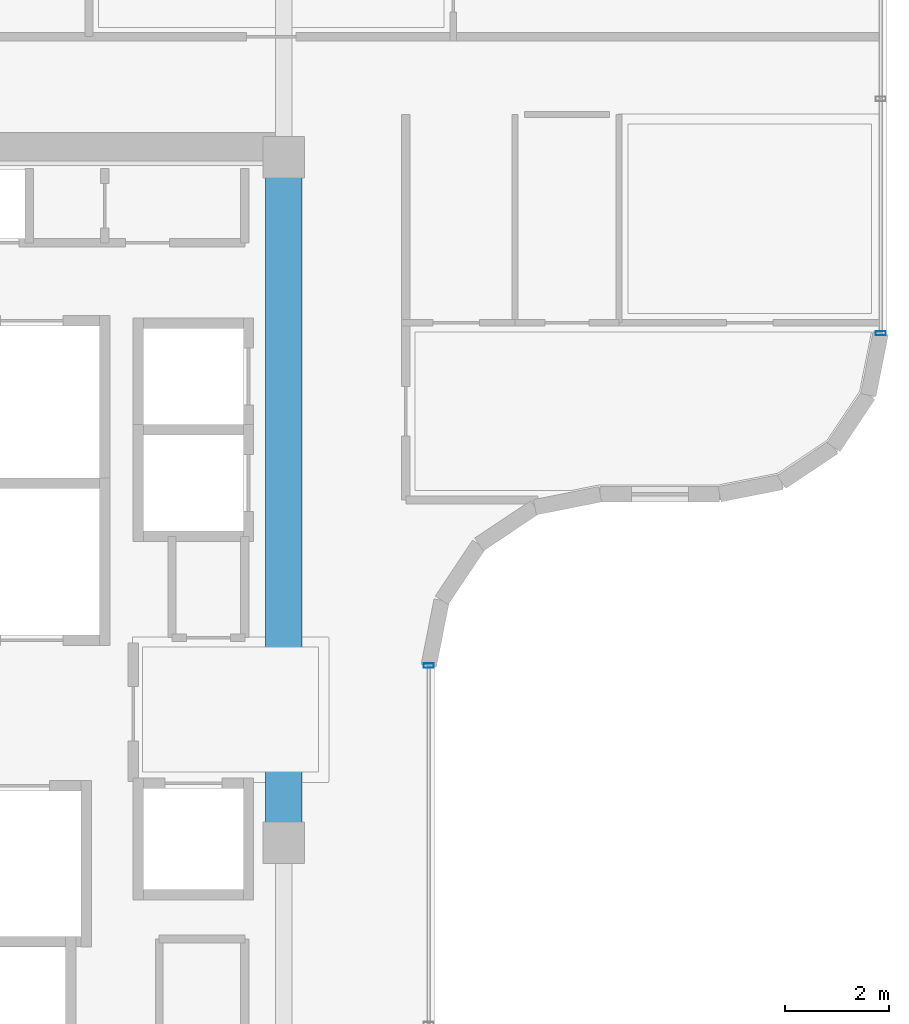
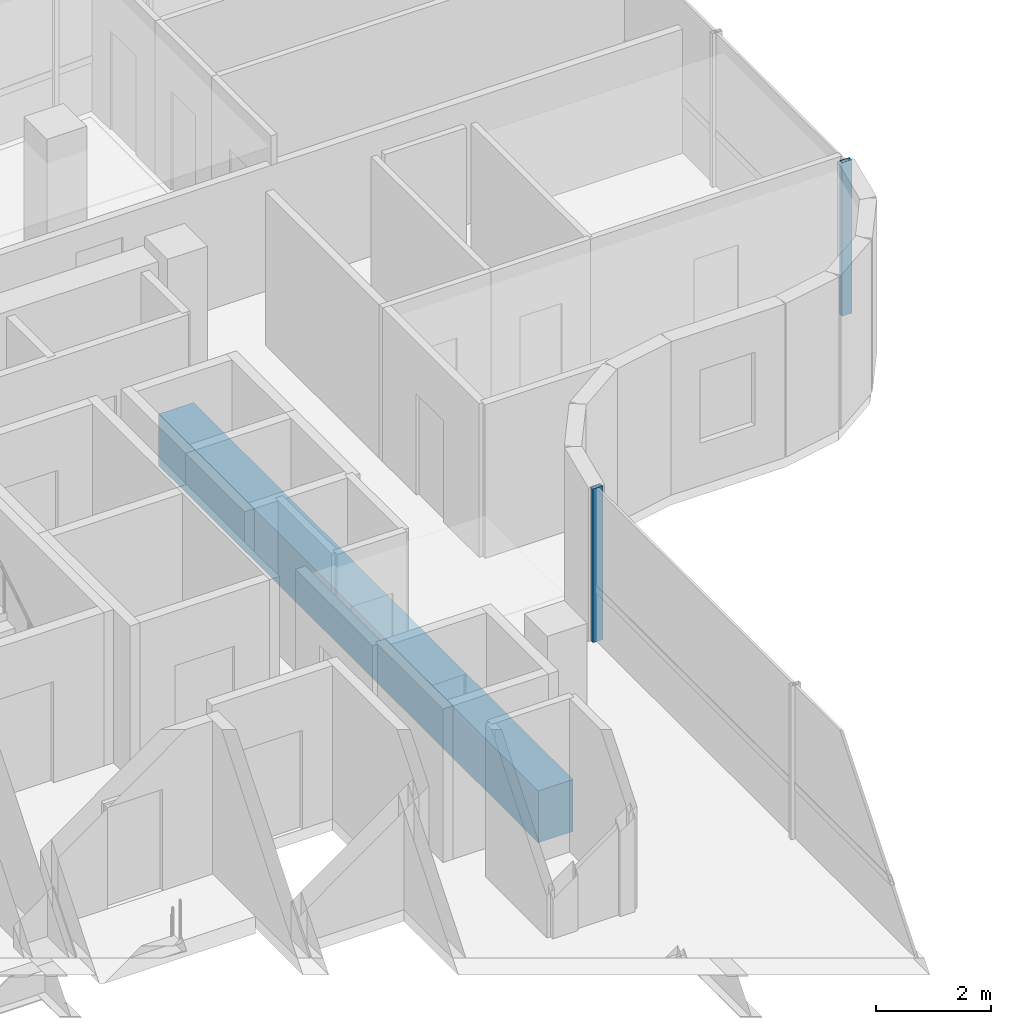
# One storey, part 8 of 19: 2 members, 1 beam, 2 elements without a shape of their own.
"""IFC4 building model written with IfcOpenShell, lengths in metres."""

from ifc_helpers import new_model, si_unit, direction, frame, origin, origin_2d, place, context, subcontext, project, spatial, rectangle, hollow_rectangle, extrude, source, transform, mapped, material, material_profile, profile_set, type_object, element, aggregate, save


model = new_model("IFC4")

# Units and contexts
model_context = context("Model", 3, precision=1e-05, world=origin(), true_north=direction((0.0, 1.0)))
body_context = subcontext(model_context, "Body", "Model", "MODEL_VIEW")
ifc_project = project(units=[si_unit("LENGTHUNIT", "METRE"), si_unit("AREAUNIT", "SQUARE_METRE"), si_unit("VOLUMEUNIT", "CUBIC_METRE"), si_unit("PLANEANGLEUNIT", "RADIAN"), si_unit("MASSUNIT", "GRAM", prefix="KILO")], contexts=[model_context])

# Site, building, storey
site_placement = place(None, origin())
site = spatial("IfcSite", under=ifc_project, at=site_placement, CompositionType="ELEMENT")
building_placement = place(site_placement, origin())
building = spatial("IfcBuilding", under=site, at=building_placement, Name="Valdorenza Pilgrim Sanctuary Tower", CompositionType="ELEMENT")
storey_placement = place(building_placement, frame((0.0, 0.0, 269.5)))
storey = spatial("IfcBuildingStorey", under=building, at=storey_placement, Name="L70", CompositionType="ELEMENT", Elevation=269.5)

# Beam
ifc_material_1 = material(Name="Concrete C50/60", Category="concrete")
ifc_material_profile_1 = material_profile(ifc_material_1, rectangle(XDim=0.699951171875, YDim=1.10009765625, at=origin_2d()), Name="RC 1100x700")
ifc_profile_set_1 = profile_set([ifc_material_profile_1], Name="Concrete C50/60")
beam_type = type_object("IfcBeamType", Name="STR-BM-LNT-1100", PredefinedType="LINTEL", material=ifc_profile_set_1)
shared_shape_1 = source(origin(), body_context, "Body", "SweptSolid", [
    extrude(rectangle(XDim=0.699951171875, YDim=1.10009765625, at=origin_2d()), origin(), (0.0, 0.0, 1.0), 13.2001953125),
])
beam_placement = place(storey_placement, frame((-12.39990234375, -2.60009765625, -0.590087890625), z_axis=(0.0, 1.0, 0.0), x_axis=(-1.0, 0.0, 0.0)))
element("IfcBeam", 1, at=beam_placement, inside=storey, type_object=beam_type, Name="L70 Core A Coupling Lintel Girder", PredefinedType="LINTEL", context=body_context, shape_type="MappedRepresentation", body=[
    mapped(shared_shape_1, transform((0.0, 0.0, 0.0), x_axis=(1.0, 0.0, 0.0), y_axis=(0.0, 1.0, 0.0), z_axis=(0.0, 0.0, 1.0), scale=1.0)),
])

# Curtain wall, member
ifc_material_2 = material(Name="Curtain-wall IGU glazing", Category="glass")
curtain_wall_type = type_object("IfcCurtainWallType", Name="CW-SYS-02", PredefinedType="NOTDEFINED", material=ifc_material_2)
curtain_wall_1_placement = place(storey_placement, origin())
curtain_wall_1 = element("IfcCurtainWall", 2, at=curtain_wall_1_placement, inside=storey, type_object=curtain_wall_type, Name="L70 Curtain Wall CW-L70-1-11", PredefinedType="NOTDEFINED")
ifc_material_3 = material(Name="Anodised aluminium AW-6060", Category="aluminium")
ifc_material_profile_2 = material_profile(ifc_material_3, hollow_rectangle(XDim=0.0849609375, YDim=0.199951171875, WallThickness=0.0048828125, at=origin_2d()), Name="ALU-M 200x85x5")
ifc_profile_set_2 = profile_set([ifc_material_profile_2], Name="Anodised aluminium AW-6060")
member_type = type_object("IfcMemberType", Name="CW-MUL-02", PredefinedType="MULLION", material=ifc_profile_set_2)
shared_shape_2 = source(origin(), body_context, "Body", "SweptSolid", [
    extrude(hollow_rectangle(XDim=0.0849609375, YDim=0.199951171875, WallThickness=0.0048828125, at=origin_2d()), origin(), (0.0, 0.0, 1.0), 3.260009765625),
])
member_1_placement = place(storey_placement, frame((-0.909912109375, 7.210693359375, 0.0), z_axis=(0.0, 0.0, 1.0), x_axis=(0.0, -1.0, 0.0)))
member_1 = element("IfcMember", 3, at=member_1_placement, type_object=member_type, Name="CW-L70-1-11 Mullion 3", PredefinedType="MULLION", context=body_context, shape_type="MappedRepresentation", body=[
    mapped(shared_shape_2, transform((0.0, 0.0, 0.0), x_axis=(1.0, 0.0, 0.0), y_axis=(0.0, 1.0, 0.0), z_axis=(0.0, 0.0, 1.0), scale=1.0)),
])
aggregate(curtain_wall_1, [member_1])

curtain_wall_2_placement = place(storey_placement, origin())
curtain_wall_2 = element("IfcCurtainWall", 4, at=curtain_wall_2_placement, inside=storey, type_object=curtain_wall_type, Name="L70 Curtain Wall CW-L70-1-21", PredefinedType="NOTDEFINED")
member_2_placement = place(storey_placement, frame((-9.610107421875, 0.810791015625, 0.0), z_axis=(0.0, 0.0, 1.0), x_axis=(0.0, -1.0, 0.0)))
member_2 = element("IfcMember", 5, at=member_2_placement, type_object=member_type, Name="CW-L70-1-21 Mullion 1", PredefinedType="MULLION", context=body_context, shape_type="MappedRepresentation", body=[
    mapped(shared_shape_2, transform((0.0, 0.0, 0.0), x_axis=(1.0, 0.0, 0.0), y_axis=(0.0, 1.0, 0.0), z_axis=(0.0, 0.0, 1.0), scale=1.0)),
])
aggregate(curtain_wall_2, [member_2])

save(model, "model.ifc")
